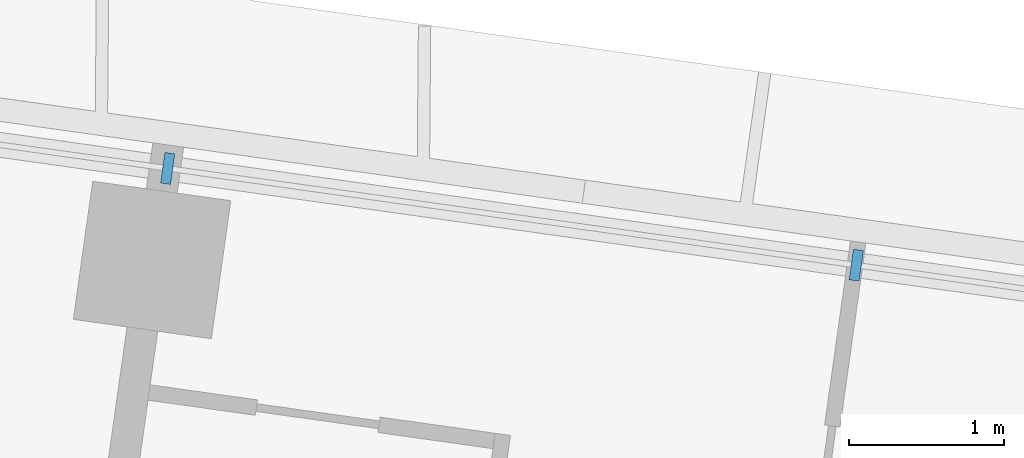
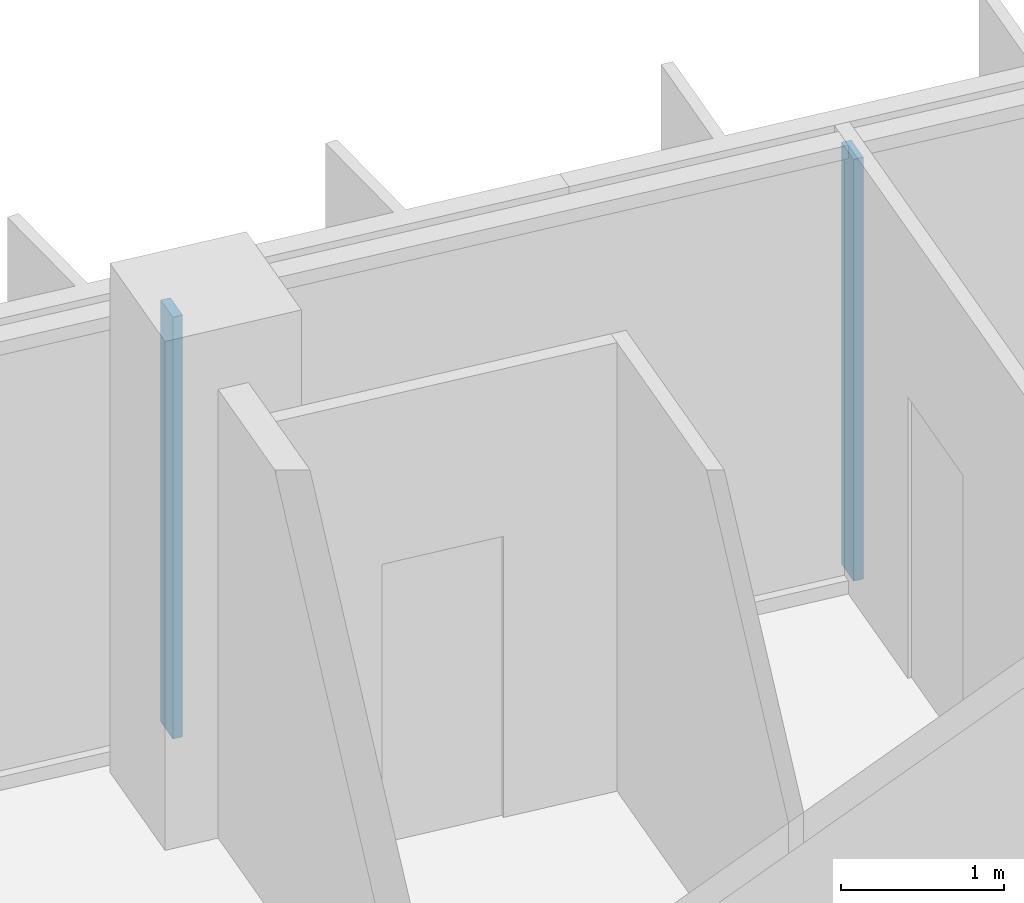
# One storey, part 3 of 25: 2 members, 1 element without a shape of its own.
"""IFC4 building model written with IfcOpenShell, lengths in metres."""

from ifc_helpers import new_model, si_unit, direction, frame, origin, origin_2d, place, context, subcontext, project, spatial, rectangle, extrude, material, material_profile, profile_set, type_object, element, aggregate, save


model = new_model("IFC4")

# Units and contexts
model_context = context("Model", 3, precision=1e-05, world=origin(), true_north=direction((0.0, 1.0)))
body_context = subcontext(model_context, "Body", "Model", "MODEL_VIEW")
ifc_project = project(units=[si_unit("LENGTHUNIT", "METRE"), si_unit("AREAUNIT", "SQUARE_METRE"), si_unit("VOLUMEUNIT", "CUBIC_METRE"), si_unit("PLANEANGLEUNIT", "RADIAN"), si_unit("MASSUNIT", "GRAM", prefix="KILO")], contexts=[model_context])

# Site, building, storey
site_placement = place(None, origin())
site = spatial("IfcSite", under=ifc_project, at=site_placement, CompositionType="ELEMENT")
building_placement = place(site_placement, origin())
building = spatial("IfcBuilding", under=site, at=building_placement, Name="Mirante Cascada Hotel Towers", CompositionType="ELEMENT")
storey_placement = place(building_placement, frame((0.0, 0.0, 102.5)))
storey = spatial("IfcBuildingStorey", under=building, at=storey_placement, Name="L22", CompositionType="ELEMENT", Elevation=102.5)

# Curtain wall, members
ifc_material_1 = material(Name="Aluminium mullion and transom frame with clear laminated glass", Category="aluminium")
curtain_wall_type = type_object("IfcCurtainWallType", Name="Ribbon curtain wall ECW1", PredefinedType="NOTDEFINED", material=ifc_material_1)
curtain_wall_placement = place(storey_placement, origin())
curtain_wall = element("IfcCurtainWall", 1, at=curtain_wall_placement, inside=storey, type_object=curtain_wall_type, Name="Front ribbon wall T1 L22", PredefinedType="NOTDEFINED")
ifc_material_2 = material(Name="Anodised aluminium extrusion", Category="aluminium")
ifc_material_profile = material_profile(ifc_material_2, rectangle(XDim=0.2, YDim=0.065, at=origin_2d()), Name="ECW1 MULLION 65x200")
ifc_profile_set = profile_set([ifc_material_profile], Name="Anodised aluminium extrusion")
member_type = type_object("IfcMemberType", Name="ECW1 mullion 65x200", PredefinedType="MULLION", material=ifc_profile_set)
member_1_placement = place(storey_placement, frame((-71.9211, 22.9269, 0.1), z_axis=(0.0, 0.0, 1.0), x_axis=(0.1391731, 0.9902681, 0.0)))
member_1 = element("IfcMember", 2, at=member_1_placement, type_object=member_type, Name="ECW1 mullion 6", PredefinedType="MULLION", context=body_context, shape_type="SweptSolid", body=[
    extrude(rectangle(XDim=0.2, YDim=0.065, at=origin_2d()), origin(), (0.0, 0.0, 1.0), 3.15),
])
member_2_placement = place(storey_placement, frame((-67.4737, 22.3018, 0.1), z_axis=(0.0, 0.0, 1.0), x_axis=(0.1391731, 0.9902681, 0.0)))
member_2 = element("IfcMember", 3, at=member_2_placement, type_object=member_type, Name="ECW1 mullion 7", PredefinedType="MULLION", context=body_context, shape_type="SweptSolid", body=[
    extrude(rectangle(XDim=0.2, YDim=0.065, at=origin_2d()), origin(), (0.0, 0.0, 1.0), 3.15),
])
aggregate(curtain_wall, [member_1, member_2])

save(model, "model.ifc")
